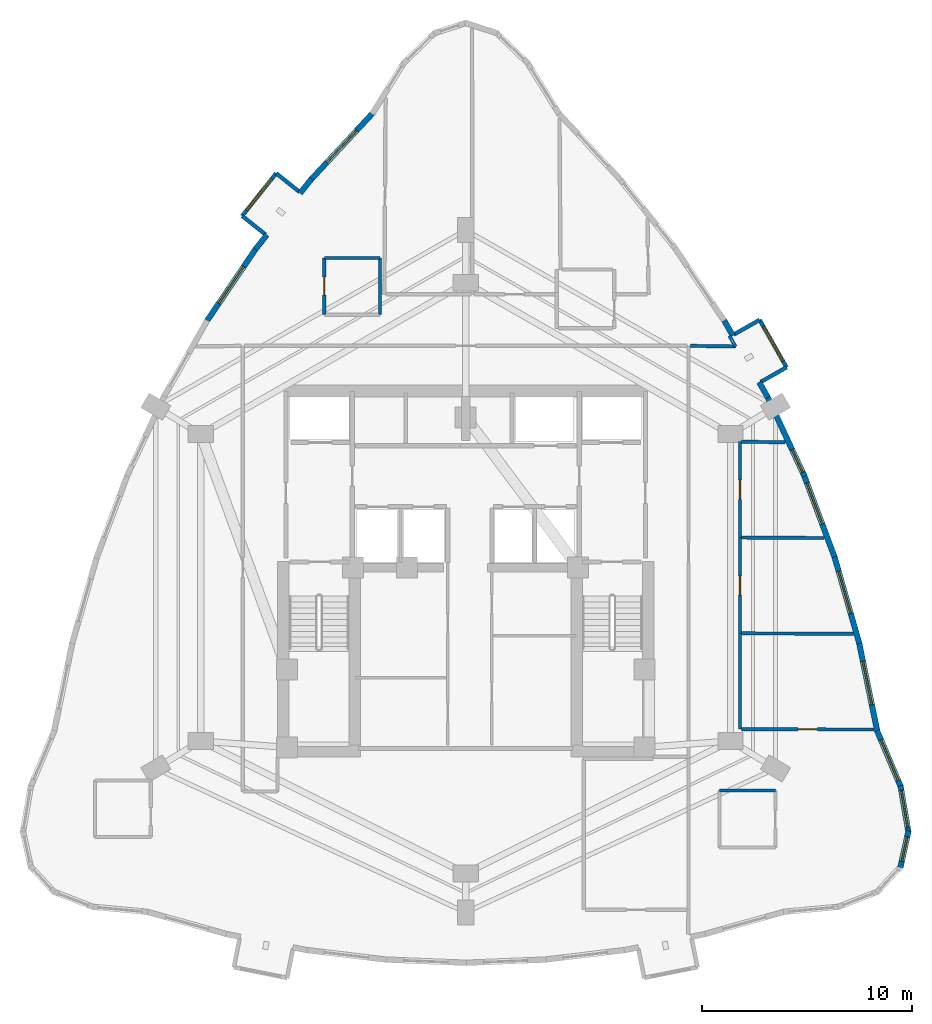
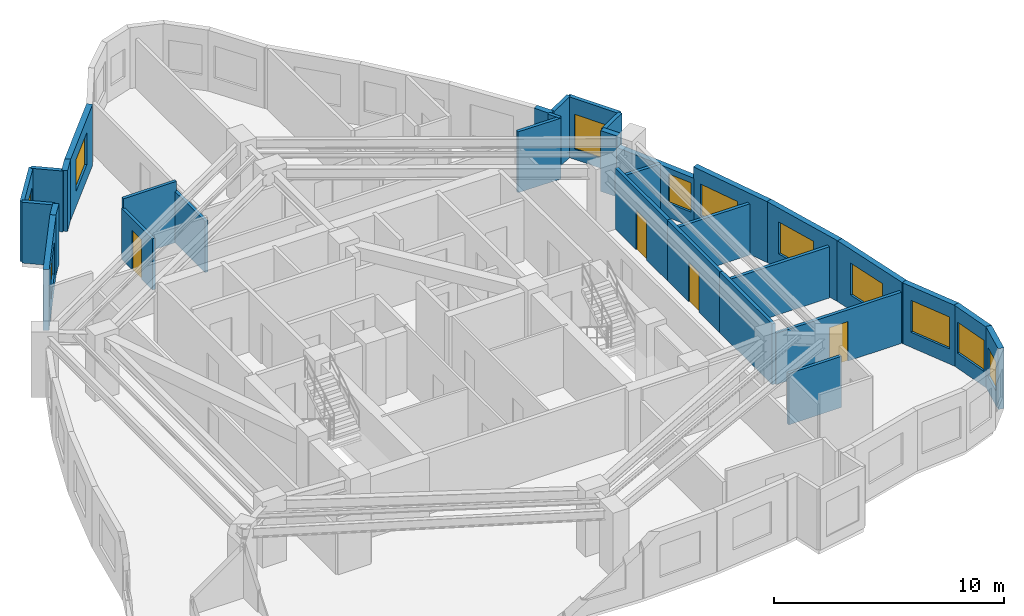
# One storey, part 6 of 8: 32 walls, 11 windows, 4 doors, 15 openings.
"""IFC4 building model written with IfcOpenShell, lengths in metres."""

from ifc_helpers import new_model, si_unit, direction, frame, frame_2d, origin, place, context, subcontext, project, spatial, rectangle, extrude, material, layer, layer_set, type_object, element, fill, save


model = new_model("IFC4")

# Units and contexts
model_context = context("Model", 3, precision=1e-05, world=origin(), true_north=direction((0.0, 1.0)))
body_context = subcontext(model_context, "Body", "Model", "MODEL_VIEW")
ifc_project = project(units=[si_unit("LENGTHUNIT", "METRE"), si_unit("AREAUNIT", "SQUARE_METRE"), si_unit("VOLUMEUNIT", "CUBIC_METRE"), si_unit("PLANEANGLEUNIT", "RADIAN"), si_unit("MASSUNIT", "GRAM", prefix="KILO")], contexts=[model_context])

# Site, building, storey
site_placement = place(None, origin())
site = spatial("IfcSite", under=ifc_project, at=site_placement, CompositionType="ELEMENT")
building_placement = place(site_placement, origin())
building = spatial("IfcBuilding", under=site, at=building_placement, Name="Miruveldt Soraemaru", CompositionType="ELEMENT")
storey_placement = place(building_placement, frame((0.0, 0.0, 177.39990234375)))
storey = spatial("IfcBuildingStorey", under=building, at=storey_placement, Name="L49", CompositionType="ELEMENT", Elevation=177.39990234375)

# Walls
ifc_material_1 = material(Name="White powder-coated aluminium EN AW-6060 T6", Category="aluminium")
ifc_layer_1 = layer(ifc_material_1, 0.18994140625, Name="White powder-coated aluminium EN AW-6060 T6", Category="aluminium")
ifc_layer_set_1 = layer_set([ifc_layer_1], Name="White powder-coated aluminium EN AW-6060 T6")
wall_type_1 = type_object("IfcWallType", Name="WALL-BAY-ALU190", PredefinedType="SOLIDWALL", material=ifc_layer_set_1)
wall_1_placement = place(storey_placement, frame((36.099609375, 61.92041015625, 0.0), z_axis=(0.0, 0.0, 1.0), x_axis=(-0.781737193764, 0.623608017817, 0.0)))
element("IfcWall", 1, at=wall_1_placement, inside=storey, type_object=wall_type_1, Name="L49 Bay Window Side Cheek 4L", PredefinedType="SOLIDWALL", context=body_context, shape_type="SweptSolid", body=[
    extrude(rectangle(XDim=1.425048828125, YDim=0.18994140625, at=frame_2d((0.71240234375, 0.0))), origin(), (0.0, 0.0, 1.0), 3.235107421875),
])
wall_2_placement = place(storey_placement, frame((33.3642578125, 60.776611328125, 0.0), z_axis=(0.0, 0.0, 1.0), x_axis=(0.781653677161, -0.623712697467, 0.0)))
element("IfcWall", 2, at=wall_2_placement, inside=storey, type_object=wall_type_1, Name="L49 Bay Window Side Cheek 4R", PredefinedType="SOLIDWALL", context=body_context, shape_type="SweptSolid", body=[
    extrude(rectangle(XDim=1.42529296875, YDim=0.18994140625, at=frame_2d((0.712646484375, 0.0))), origin(), (0.0, 0.0, 1.0), 3.235107421875),
])

# Wall, opening, window
wall_3_placement = place(storey_placement, frame((34.985595703125, 62.80908203125, 0.0), z_axis=(0.0, 0.0, 1.0), x_axis=(-0.623606546405, -0.781738367538, 0.0)))
wall_3 = element("IfcWall", 3, at=wall_3_placement, inside=storey, type_object=wall_type_1, Name="L49 Bay Window Front Frame 4", PredefinedType="SOLIDWALL", context=body_context, shape_type="SweptSolid", body=[
    extrude(rectangle(XDim=2.599853515625, YDim=0.18994140625, at=frame_2d((1.2998046875, 0.0))), origin(), (0.0, 0.0, 1.0), 3.235107421875),
])
opening_1_placement = place(wall_3_placement, frame((0.35009765625, 0.0, 0.550048828125)))
opening_1 = element("IfcOpeningElement", 4, at=opening_1_placement, cuts=wall_3, Name="Opening WN-6", PredefinedType="OPENING", context=body_context, shape_type="SweptSolid", body=[
    extrude(rectangle(XDim=1.89990234375, YDim=1.85009765625, at=frame_2d((0.949951171875, 0.925048828125))), frame((0.0, 0.10498046875, 0.0), z_axis=(0.0, -1.0, 0.0), x_axis=(1.0, 0.0, 0.0)), (0.0, 0.0, 1.0), 0.2099609375),
])
ifc_material_2 = material(Name="Triple low-e insulated glazing", Category="glass")
window_type_1 = type_object("IfcWindowType", Name="WIN-BAYW-1900x1850", PartitioningType="SINGLE_PANEL", PredefinedType="WINDOW", material=ifc_material_2)
window_1_placement = place(opening_1_placement, origin())
window_1 = element("IfcWindow", 5, at=window_1_placement, inside=storey, type_object=window_type_1, Name="L49 Projecting Bay Window 4", OverallHeight=1.85009765625, OverallWidth=1.89990234375, PartitioningType="SINGLE_PANEL", PredefinedType="WINDOW", context=body_context, shape_type="SweptSolid", body=[
    extrude(rectangle(XDim=1.89990234375, YDim=1.85009765625, at=frame_2d((0.949951171875, 0.925048828125))), frame((0.0, 0.030029296875, 0.0), z_axis=(0.0, -1.0, 0.0), x_axis=(1.0, 0.0, 0.0)), (0.0, 0.0, 1.0), 0.06005859375),
])
fill(opening_1, window_1)

# Walls
for number, where, z_axis, x_axis, name in (
    (6, (58.027099609375, 52.871826171875, 0.0), (0.0, 0.0, 1.0), (0.869799191674, 0.493405883794, 0.0), "L49 Bay Window Side Cheek 3L"),
    (7, (57.98388671875, 55.836669921875, 0.0), (0.0, 0.0, 1.0), (-0.869799191674, -0.493405883794, 0.0), "L49 Bay Window Side Cheek 3R"),
):
    element("IfcWall", number, at=place(storey_placement, frame(where, z_axis=z_axis, x_axis=x_axis)), inside=storey, type_object=wall_type_1, Name=name, PredefinedType="SOLIDWALL", context=body_context, shape_type="SweptSolid", body=[
        extrude(rectangle(XDim=1.425048828125, YDim=0.18994140625, at=frame_2d((0.71240234375, 0.0))), origin(), (0.0, 0.0, 1.0), 3.235107421875),
    ])

# Wall, opening, window
wall_4_placement = place(storey_placement, frame((59.2666015625, 53.574951171875, 0.0), z_axis=(0.0, 0.0, 1.0), x_axis=(-0.493325260824, 0.869844921255, 0.0)))
wall_4 = element("IfcWall", 8, at=wall_4_placement, inside=storey, type_object=wall_type_1, Name="L49 Bay Window Front Frame 3", PredefinedType="SOLIDWALL", context=body_context, shape_type="SweptSolid", body=[
    extrude(rectangle(XDim=2.60009765625, YDim=0.18994140625, at=frame_2d((1.300048828125, 0.0))), origin(), (0.0, 0.0, 1.0), 3.235107421875),
])
opening_2_placement = place(wall_4_placement, frame((0.35009765625, 0.0, 0.550048828125)))
opening_2 = element("IfcOpeningElement", 9, at=opening_2_placement, cuts=wall_4, Name="Opening WN-6", PredefinedType="OPENING", context=body_context, shape_type="SweptSolid", body=[
    extrude(rectangle(XDim=1.89990234375, YDim=1.85009765625, at=frame_2d((0.949951171875, 0.925048828125))), frame((0.0, 0.10498046875, 0.0), z_axis=(0.0, -1.0, 0.0), x_axis=(1.0, 0.0, 0.0)), (0.0, 0.0, 1.0), 0.2099609375),
])
window_2_placement = place(opening_2_placement, origin())
window_2 = element("IfcWindow", 10, at=window_2_placement, inside=storey, type_object=window_type_1, Name="L49 Projecting Bay Window 3", OverallHeight=1.85009765625, OverallWidth=1.89990234375, PartitioningType="SINGLE_PANEL", PredefinedType="WINDOW", context=body_context, shape_type="SweptSolid", body=[
    extrude(rectangle(XDim=1.89990234375, YDim=1.85009765625, at=frame_2d((0.949951171875, 0.925048828125))), frame((0.0, 0.030029296875, 0.0), z_axis=(0.0, -1.0, 0.0), x_axis=(1.0, 0.0, 0.0)), (0.0, 0.0, 1.0), 0.06005859375),
])
fill(opening_2, window_2)

ifc_material_3 = material(Name="Precast concrete C45/55 (45 MPa)", Category="concrete")
ifc_layer_2 = layer(ifc_material_3, 0.27001953125, Name="Precast concrete C45/55 (45 MPa)", Category="concrete")
ifc_layer_set_2 = layer_set([ifc_layer_2], Name="Precast concrete C45/55 (45 MPa)")
wall_type_2 = type_object("IfcWallType", Name="WALL-EXT-PC270", PredefinedType="SOLIDWALL", material=ifc_layer_set_2)
wall_5_placement = place(storey_placement, frame((39.59326171875, 65.68701171875, 0.0), z_axis=(0.0, 0.0, 1.0), x_axis=(-0.680895300914, -0.732380767902, 0.0)))
wall_5 = element("IfcWall", 11, at=wall_5_placement, inside=storey, type_object=wall_type_2, Name="L49 Precast Concrete Facade Wall 7", PredefinedType="SOLIDWALL", context=body_context, shape_type="SweptSolid", body=[
    extrude(rectangle(XDim=4.362548828125, YDim=0.27001953125, at=frame_2d((2.18115234375, 0.0))), origin(), (0.0, 0.0, 1.0), 3.235107421875),
])
opening_3_placement = place(wall_5_placement, frame((1.131103515625, 0.0, 0.800048828125)))
opening_3 = element("IfcOpeningElement", 12, at=opening_3_placement, cuts=wall_5, Name="Opening WN-1", PredefinedType="OPENING", context=body_context, shape_type="SweptSolid", body=[
    extrude(rectangle(XDim=2.10009765625, YDim=1.699951171875, at=frame_2d((1.050048828125, 0.85009765625))), frame((0.0, 0.14501953125, 0.0), z_axis=(0.0, -1.0, 0.0), x_axis=(1.0, 0.0, 0.0)), (0.0, 0.0, 1.0), 0.2900390625),
])
window_type_2 = type_object("IfcWindowType", Name="WIN-PUNCH-2100x1700", PartitioningType="SINGLE_PANEL", PredefinedType="WINDOW", material=ifc_material_2)
window_3_placement = place(opening_3_placement, origin())
window_3 = element("IfcWindow", 13, at=window_3_placement, inside=storey, type_object=window_type_2, Name="L49 Punched Triple-Glazed Window 07.1", OverallHeight=1.699951171875, OverallWidth=2.10009765625, PartitioningType="SINGLE_PANEL", PredefinedType="WINDOW", context=body_context, shape_type="SweptSolid", body=[
    extrude(rectangle(XDim=2.10009765625, YDim=1.699951171875, at=frame_2d((1.050048828125, 0.85009765625))), frame((0.0, 0.030029296875, 0.0), z_axis=(0.0, -1.0, 0.0), x_axis=(1.0, 0.0, 0.0)), (0.0, 0.0, 1.0), 0.06005859375),
])
fill(opening_3, window_3)

# Walls
wall_6_placement = place(storey_placement, frame((36.668212890625, 62.544921875, 0.0), z_axis=(0.0, 0.0, 1.0), x_axis=(-0.623500381901, -0.781823045049, 0.0)))
element("IfcWall", 14, at=wall_6_placement, inside=storey, type_object=wall_type_2, Name="L49 Precast Pier Wall 8A", PredefinedType="SOLIDWALL", context=body_context, shape_type="SweptSolid", body=[
    extrude(rectangle(XDim=0.872802734375, YDim=0.27001953125, at=frame_2d((0.4365234375, 0.0))), origin(), (0.0, 0.0, 1.0), 3.235107421875),
])
wall_7_placement = place(storey_placement, frame((34.5400390625, 59.876953125, 0.0), z_axis=(0.0, 0.0, 1.0), x_axis=(-0.623671316499, -0.781686694895, 0.0)))
element("IfcWall", 15, at=wall_7_placement, inside=storey, type_object=wall_type_2, Name="L49 Precast Pier Wall 8B", PredefinedType="SOLIDWALL", context=body_context, shape_type="SweptSolid", body=[
    extrude(rectangle(XDim=0.873046875, YDim=0.27001953125, at=frame_2d((0.4365234375, 0.0))), origin(), (0.0, 0.0, 1.0), 3.235107421875),
])

# Wall, opening, window
wall_8_placement = place(storey_placement, frame((34.037109375, 59.2509765625, 0.0), z_axis=(0.0, 0.0, 1.0), x_axis=(-0.560820092429, -0.827937693265, 0.0)))
wall_8 = element("IfcWall", 16, at=wall_8_placement, inside=storey, type_object=wall_type_2, Name="L49 Precast Concrete Facade Wall 9", PredefinedType="SOLIDWALL", context=body_context, shape_type="SweptSolid", body=[
    extrude(rectangle(XDim=4.233642578125, YDim=0.27001953125, at=frame_2d((2.11669921875, 0.0))), origin(), (0.0, 0.0, 1.0), 3.235107421875),
])
opening_4_placement = place(wall_8_placement, frame((1.06689453125, 0.0, 0.800048828125)))
opening_4 = element("IfcOpeningElement", 17, at=opening_4_placement, cuts=wall_8, Name="Opening WN-1", PredefinedType="OPENING", context=body_context, shape_type="SweptSolid", body=[
    extrude(rectangle(XDim=2.10009765625, YDim=1.699951171875, at=frame_2d((1.050048828125, 0.85009765625))), frame((0.0, 0.14501953125, 0.0), z_axis=(0.0, -1.0, 0.0), x_axis=(1.0, 0.0, 0.0)), (0.0, 0.0, 1.0), 0.2900390625),
])
window_4_placement = place(opening_4_placement, origin())
window_4 = element("IfcWindow", 18, at=window_4_placement, inside=storey, type_object=window_type_2, Name="L49 Punched Triple-Glazed Window 09.1", OverallHeight=1.699951171875, OverallWidth=2.10009765625, PartitioningType="SINGLE_PANEL", PredefinedType="WINDOW", context=body_context, shape_type="SweptSolid", body=[
    extrude(rectangle(XDim=2.10009765625, YDim=1.699951171875, at=frame_2d((1.050048828125, 0.85009765625))), frame((0.0, 0.030029296875, 0.0), z_axis=(0.0, -1.0, 0.0), x_axis=(1.0, 0.0, 0.0)), (0.0, 0.0, 1.0), 0.06005859375),
])
fill(opening_4, window_4)

wall_9_placement = place(storey_placement, frame((64.683349609375, 29.786376953125, 0.0), z_axis=(0.0, 0.0, 1.0), x_axis=(0.215842043801, 0.976428293387, 0.0)))
wall_9 = element("IfcWall", 19, at=wall_9_placement, inside=storey, type_object=wall_type_2, Name="L49 Precast Concrete Facade Wall 32", PredefinedType="SOLIDWALL", context=body_context, shape_type="SweptSolid", body=[
    extrude(rectangle(XDim=1.781494140625, YDim=0.27001953125, at=frame_2d((0.890625, 0.0))), origin(), (0.0, 0.0, 1.0), 3.235107421875),
])
opening_5_placement = place(wall_9_placement, frame((0.291015625, 0.0, 0.780029296875)))
opening_5 = element("IfcOpeningElement", 20, at=opening_5_placement, cuts=wall_9, Name="Opening WN-4", PredefinedType="OPENING", context=body_context, shape_type="SweptSolid", body=[
    extrude(rectangle(XDim=1.199951171875, YDim=1.550048828125, at=frame_2d((0.60009765625, 0.77490234375))), frame((0.0, 0.14501953125, 0.0), z_axis=(0.0, -1.0, 0.0), x_axis=(1.0, 0.0, 0.0)), (0.0, 0.0, 1.0), 0.2900390625),
])
window_type_3 = type_object("IfcWindowType", Name="WIN-PUNCH-1200x1550", PartitioningType="SINGLE_PANEL", PredefinedType="WINDOW", material=ifc_material_2)
window_5_placement = place(opening_5_placement, origin())
window_5 = element("IfcWindow", 21, at=window_5_placement, inside=storey, type_object=window_type_3, Name="L49 Punched Triple-Glazed Window 32.1", OverallHeight=1.550048828125, OverallWidth=1.199951171875, PartitioningType="SINGLE_PANEL", PredefinedType="WINDOW", context=body_context, shape_type="SweptSolid", body=[
    extrude(rectangle(XDim=1.199951171875, YDim=1.550048828125, at=frame_2d((0.60009765625, 0.77490234375))), frame((0.0, 0.030029296875, 0.0), z_axis=(0.0, -1.0, 0.0), x_axis=(1.0, 0.0, 0.0)), (0.0, 0.0, 1.0), 0.06005859375),
])
fill(opening_5, window_5)

wall_10_placement = place(storey_placement, frame((65.066162109375, 31.457275390625, 0.0), z_axis=(0.0, 0.0, 1.0), x_axis=(-0.169358284126, 0.98555455029, 0.0)))
wall_10 = element("IfcWall", 22, at=wall_10_placement, inside=storey, type_object=wall_type_2, Name="L49 Precast Concrete Facade Wall 33", PredefinedType="SOLIDWALL", context=body_context, shape_type="SweptSolid", body=[
    extrude(rectangle(XDim=2.250244140625, YDim=0.27001953125, at=frame_2d((1.125, 0.0))), origin(), (0.0, 0.0, 1.0), 3.235107421875),
])
opening_6_placement = place(wall_10_placement, frame((0.22509765625, 0.0, 0.800048828125)))
opening_6 = element("IfcOpeningElement", 23, at=opening_6_placement, cuts=wall_10, Name="Opening WN-2", PredefinedType="OPENING", context=body_context, shape_type="SweptSolid", body=[
    extrude(rectangle(XDim=1.800048828125, YDim=1.64990234375, at=frame_2d((0.89990234375, 0.824951171875))), frame((0.0, 0.14501953125, 0.0), z_axis=(0.0, -1.0, 0.0), x_axis=(1.0, 0.0, 0.0)), (0.0, 0.0, 1.0), 0.2900390625),
])
window_type_4 = type_object("IfcWindowType", Name="WIN-PUNCH-1800x1650", PartitioningType="SINGLE_PANEL", PredefinedType="WINDOW", material=ifc_material_2)
window_6_placement = place(opening_6_placement, origin())
window_6 = element("IfcWindow", 24, at=window_6_placement, inside=storey, type_object=window_type_4, Name="L49 Punched Triple-Glazed Window 33.1", OverallHeight=1.64990234375, OverallWidth=1.800048828125, PartitioningType="SINGLE_PANEL", PredefinedType="WINDOW", context=body_context, shape_type="SweptSolid", body=[
    extrude(rectangle(XDim=1.800048828125, YDim=1.64990234375, at=frame_2d((0.89990234375, 0.824951171875))), frame((0.0, 0.030029296875, 0.0), z_axis=(0.0, -1.0, 0.0), x_axis=(1.0, 0.0, 0.0)), (0.0, 0.0, 1.0), 0.06005859375),
])
fill(opening_6, window_6)

wall_11_placement = place(storey_placement, frame((64.70458984375, 33.6083984375, 0.0), z_axis=(0.0, 0.0, 1.0), x_axis=(-0.388625089354, 0.921395973469, 0.0)))
wall_11 = element("IfcWall", 25, at=wall_11_placement, inside=storey, type_object=wall_type_2, Name="L49 Precast Concrete Facade Wall 34", PredefinedType="SOLIDWALL", context=body_context, shape_type="SweptSolid", body=[
    extrude(rectangle(XDim=2.919921875, YDim=0.27001953125, at=frame_2d((1.4599609375, 0.0))), origin(), (0.0, 0.0, 1.0), 3.235107421875),
])
opening_7_placement = place(wall_11_placement, frame((0.343017578125, 0.0, 0.800048828125)))
opening_7 = element("IfcOpeningElement", 26, at=opening_7_placement, cuts=wall_11, Name="Opening WN-1", PredefinedType="OPENING", context=body_context, shape_type="SweptSolid", body=[
    extrude(rectangle(XDim=2.10009765625, YDim=1.699951171875, at=frame_2d((1.050048828125, 0.85009765625))), frame((0.0, 0.14501953125, 0.0), z_axis=(0.0, -1.0, 0.0), x_axis=(1.0, 0.0, 0.0)), (0.0, 0.0, 1.0), 0.2900390625),
])
window_7_placement = place(opening_7_placement, origin())
window_7 = element("IfcWindow", 27, at=window_7_placement, inside=storey, type_object=window_type_2, Name="L49 Punched Triple-Glazed Window 34.1", OverallHeight=1.699951171875, OverallWidth=2.10009765625, PartitioningType="SINGLE_PANEL", PredefinedType="WINDOW", context=body_context, shape_type="SweptSolid", body=[
    extrude(rectangle(XDim=2.10009765625, YDim=1.699951171875, at=frame_2d((1.050048828125, 0.85009765625))), frame((0.0, 0.030029296875, 0.0), z_axis=(0.0, -1.0, 0.0), x_axis=(1.0, 0.0, 0.0)), (0.0, 0.0, 1.0), 0.06005859375),
])
fill(opening_7, window_7)

wall_12_placement = place(storey_placement, frame((63.590576171875, 36.232421875, 0.0), z_axis=(0.0, 0.0, 1.0), x_axis=(-0.201622920586, 0.979463219266, 0.0)))
wall_12 = element("IfcWall", 28, at=wall_12_placement, inside=storey, type_object=wall_type_2, Name="L49 Precast Concrete Facade Wall 35", PredefinedType="SOLIDWALL", context=body_context, shape_type="SweptSolid", body=[
    extrude(rectangle(XDim=4.36279296875, YDim=0.27001953125, at=frame_2d((2.181396484375, 0.0))), origin(), (0.0, 0.0, 1.0), 3.235107421875),
])
opening_8_placement = place(wall_12_placement, frame((1.324951171875, 0.0, 0.800048828125)))
opening_8 = element("IfcOpeningElement", 29, at=opening_8_placement, cuts=wall_12, Name="Opening WN-1", PredefinedType="OPENING", context=body_context, shape_type="SweptSolid", body=[
    extrude(rectangle(XDim=2.10009765625, YDim=1.699951171875, at=frame_2d((1.050048828125, 0.85009765625))), frame((0.0, 0.14501953125, 0.0), z_axis=(0.0, -1.0, 0.0), x_axis=(1.0, 0.0, 0.0)), (0.0, 0.0, 1.0), 0.2900390625),
])
window_8_placement = place(opening_8_placement, origin())
window_8 = element("IfcWindow", 30, at=window_8_placement, inside=storey, type_object=window_type_2, Name="L49 Punched Triple-Glazed Window 35.1", OverallHeight=1.699951171875, OverallWidth=2.10009765625, PartitioningType="SINGLE_PANEL", PredefinedType="WINDOW", context=body_context, shape_type="SweptSolid", body=[
    extrude(rectangle(XDim=2.10009765625, YDim=1.699951171875, at=frame_2d((1.050048828125, 0.85009765625))), frame((0.0, 0.030029296875, 0.0), z_axis=(0.0, -1.0, 0.0), x_axis=(1.0, 0.0, 0.0)), (0.0, 0.0, 1.0), 0.06005859375),
])
fill(opening_8, window_8)

wall_13_placement = place(storey_placement, frame((62.727783203125, 40.437744140625, 0.0), z_axis=(0.0, 0.0, 1.0), x_axis=(-0.274984460163, 0.961448670845, 0.0)))
wall_13 = element("IfcWall", 31, at=wall_13_placement, inside=storey, type_object=wall_type_2, Name="L49 Precast Concrete Facade Wall 36", PredefinedType="SOLIDWALL", context=body_context, shape_type="SweptSolid", body=[
    extrude(rectangle(XDim=4.28564453125, YDim=0.27001953125, at=frame_2d((2.142822265625, 0.0))), origin(), (0.0, 0.0, 1.0), 3.235107421875),
])
opening_9_placement = place(wall_13_placement, frame((1.47607421875, 0.0, 0.800048828125)))
opening_9 = element("IfcOpeningElement", 32, at=opening_9_placement, cuts=wall_13, Name="Opening WN-1", PredefinedType="OPENING", context=body_context, shape_type="SweptSolid", body=[
    extrude(rectangle(XDim=2.10009765625, YDim=1.699951171875, at=frame_2d((1.050048828125, 0.85009765625))), frame((0.0, 0.14501953125, 0.0), z_axis=(0.0, -1.0, 0.0), x_axis=(1.0, 0.0, 0.0)), (0.0, 0.0, 1.0), 0.2900390625),
])
window_9_placement = place(opening_9_placement, origin())
window_9 = element("IfcWindow", 33, at=window_9_placement, inside=storey, type_object=window_type_2, Name="L49 Punched Triple-Glazed Window 36.1", OverallHeight=1.699951171875, OverallWidth=2.10009765625, PartitioningType="SINGLE_PANEL", PredefinedType="WINDOW", context=body_context, shape_type="SweptSolid", body=[
    extrude(rectangle(XDim=2.10009765625, YDim=1.699951171875, at=frame_2d((1.050048828125, 0.85009765625))), frame((0.0, 0.030029296875, 0.0), z_axis=(0.0, -1.0, 0.0), x_axis=(1.0, 0.0, 0.0)), (0.0, 0.0, 1.0), 0.06005859375),
])
fill(opening_9, window_9)

wall_14_placement = place(storey_placement, frame((61.571044921875, 44.49169921875, 0.0), z_axis=(0.0, 0.0, 1.0), x_axis=(-0.349011712454, 0.937118362092, 0.0)))
wall_14 = element("IfcWall", 34, at=wall_14_placement, inside=storey, type_object=wall_type_2, Name="L49 Precast Concrete Facade Wall 37", PredefinedType="SOLIDWALL", context=body_context, shape_type="SweptSolid", body=[
    extrude(rectangle(XDim=4.2333984375, YDim=0.27001953125, at=frame_2d((2.11669921875, 0.0))), origin(), (0.0, 0.0, 1.0), 3.235107421875),
])
opening_10_placement = place(wall_14_placement, frame((1.72998046875, 0.0, 0.800048828125)))
opening_10 = element("IfcOpeningElement", 35, at=opening_10_placement, cuts=wall_14, Name="Opening WN-1", PredefinedType="OPENING", context=body_context, shape_type="SweptSolid", body=[
    extrude(rectangle(XDim=2.10009765625, YDim=1.699951171875, at=frame_2d((1.050048828125, 0.85009765625))), frame((0.0, 0.14501953125, 0.0), z_axis=(0.0, -1.0, 0.0), x_axis=(1.0, 0.0, 0.0)), (0.0, 0.0, 1.0), 0.2900390625),
])
window_10_placement = place(opening_10_placement, origin())
window_10 = element("IfcWindow", 36, at=window_10_placement, inside=storey, type_object=window_type_2, Name="L49 Punched Triple-Glazed Window 37.1", OverallHeight=1.699951171875, OverallWidth=2.10009765625, PartitioningType="SINGLE_PANEL", PredefinedType="WINDOW", context=body_context, shape_type="SweptSolid", body=[
    extrude(rectangle(XDim=2.10009765625, YDim=1.699951171875, at=frame_2d((1.050048828125, 0.85009765625))), frame((0.0, 0.030029296875, 0.0), z_axis=(0.0, -1.0, 0.0), x_axis=(1.0, 0.0, 0.0)), (0.0, 0.0, 1.0), 0.06005859375),
])
fill(opening_10, window_10)

wall_15_placement = place(storey_placement, frame((60.12060546875, 48.39453125, 0.0), z_axis=(0.0, 0.0, 1.0), x_axis=(-0.422345326192, 0.906435008947, 0.0)))
wall_15 = element("IfcWall", 37, at=wall_15_placement, inside=storey, type_object=wall_type_2, Name="L49 Precast Concrete Facade Wall 38", PredefinedType="SOLIDWALL", context=body_context, shape_type="SweptSolid", body=[
    extrude(rectangle(XDim=4.20703125, YDim=0.27001953125, at=frame_2d((2.103515625, 0.0))), origin(), (0.0, 0.0, 1.0), 2.635009765625),
])
opening_11_placement = place(wall_15_placement, frame((0.2060546875, 0.0, 0.780029296875)))
opening_11 = element("IfcOpeningElement", 38, at=opening_11_placement, cuts=wall_15, Name="Opening WN-4", PredefinedType="OPENING", context=body_context, shape_type="SweptSolid", body=[
    extrude(rectangle(XDim=1.199951171875, YDim=1.550048828125, at=frame_2d((0.60009765625, 0.77490234375))), frame((0.0, 0.14501953125, 0.0), z_axis=(0.0, -1.0, 0.0), x_axis=(1.0, 0.0, 0.0)), (0.0, 0.0, 1.0), 0.2900390625),
])
window_11_placement = place(opening_11_placement, origin())
window_11 = element("IfcWindow", 39, at=window_11_placement, inside=storey, type_object=window_type_3, Name="L49 Punched Triple-Glazed Window 38.1", OverallHeight=1.550048828125, OverallWidth=1.199951171875, PartitioningType="SINGLE_PANEL", PredefinedType="WINDOW", context=body_context, shape_type="SweptSolid", body=[
    extrude(rectangle(XDim=1.199951171875, YDim=1.550048828125, at=frame_2d((0.60009765625, 0.77490234375))), frame((0.0, 0.030029296875, 0.0), z_axis=(0.0, -1.0, 0.0), x_axis=(1.0, 0.0, 0.0)), (0.0, 0.0, 1.0), 0.06005859375),
])
fill(opening_11, window_11)

# Walls
for number, where, z_axis, x_axis, name in (
    (40, (58.3759765625, 52.14599609375, 0.0), (0.0, 0.0, 1.0), (-0.49358156725, 0.869699509297, 0.0), "L49 Precast Pier Wall 39A"),
    (41, (56.71142578125, 55.080322265625, 0.0), (0.0, 0.0, 1.0), (-0.493234259092, 0.869896525834, 0.0), "L49 Precast Pier Wall 39B"),
):
    element("IfcWall", number, at=place(storey_placement, frame(where, z_axis=z_axis, x_axis=x_axis)), inside=storey, type_object=wall_type_2, Name=name, PredefinedType="SOLIDWALL", context=body_context, shape_type="SweptSolid", body=[
        extrude(rectangle(XDim=0.83349609375, YDim=0.27001953125, at=frame_2d((0.416748046875, 0.0))), origin(), (0.0, 0.0, 1.0), 3.235107421875),
    ])

# Wall, opening, door
ifc_material_4 = material(Name="Gypsum plasterboard lining", Category="gypsum")
ifc_layer_3 = layer(ifc_material_4, 0.14990234375, Name="Gypsum plasterboard lining", Category="gypsum")
ifc_layer_set_3 = layer_set([ifc_layer_3], Name="Gypsum plasterboard lining")
wall_type_3 = type_object("IfcWallType", Name="WALL-INT-PLUMB", PredefinedType="PLUMBINGWALL", material=ifc_layer_set_3)
wall_16_placement = place(storey_placement, frame((37.27490234375, 58.780029296875, 0.0), z_axis=(0.0, 0.0, 1.0), x_axis=(0.0, -1.0, 0.0)))
wall_16 = element("IfcWall", 42, at=wall_16_placement, inside=storey, type_object=wall_type_3, Name="L49 Partition Wall 8", PredefinedType="PLUMBINGWALL", context=body_context, shape_type="SweptSolid", body=[
    extrude(rectangle(XDim=2.699951171875, YDim=0.14990234375, at=frame_2d((1.35009765625, 0.0))), origin(), (0.0, 0.0, 1.0), 2.72314453125),
])
opening_12_placement = place(wall_16_placement, frame((0.909912109375, 0.0, 0.0)))
opening_12 = element("IfcOpeningElement", 43, at=opening_12_placement, cuts=wall_16, Name="Opening FD3", PredefinedType="OPENING", context=body_context, shape_type="SweptSolid", body=[
    extrude(rectangle(XDim=0.85009765625, YDim=2.10009765625, at=frame_2d((0.425048828125, 1.050048828125))), frame((0.0, 0.0849609375, 0.0), z_axis=(0.0, -1.0, 0.0), x_axis=(1.0, 0.0, 0.0)), (0.0, 0.0, 1.0), 0.169921875),
])
ifc_material_5 = material(Name="Anodised aluminium EN AW-6063 T6", Category="aluminium")
door_type_1 = type_object("IfcDoorType", Name="DOOR-FD3-850", OperationType="NOTDEFINED", PredefinedType="DOOR", material=ifc_material_5)
door_1_placement = place(opening_12_placement, origin())
door_1 = element("IfcDoor", 44, at=door_1_placement, inside=storey, type_object=door_type_1, Name="L49 Unit 4901 BTH Door", OperationType="SINGLE_SWING_LEFT", OverallHeight=2.10009765625, OverallWidth=0.85009765625, PredefinedType="DOOR", context=body_context, shape_type="SweptSolid", body=[
    extrude(rectangle(XDim=0.85009765625, YDim=2.10009765625, at=frame_2d((0.425048828125, 1.050048828125))), frame((0.0, 0.02490234375, 0.0), z_axis=(0.0, -1.0, 0.0), x_axis=(1.0, 0.0, 0.0)), (0.0, 0.0, 1.0), 0.050048828125),
])
fill(opening_12, door_1)

# Walls
wall_17_placement = place(storey_placement, frame((39.925048828125, 56.080078125, 0.0), z_axis=(0.0, 0.0, 1.0), x_axis=(0.0, 1.0, 0.0)))
element("IfcWall", 45, at=wall_17_placement, inside=storey, type_object=wall_type_3, Name="L49 Partition Wall 6", PredefinedType="PLUMBINGWALL", context=body_context, shape_type="SweptSolid", body=[
    extrude(rectangle(XDim=2.699951171875, YDim=0.14990234375, at=frame_2d((1.35009765625, 0.0))), origin(), (0.0, 0.0, 1.0), 2.72314453125),
])
wall_18_placement = place(storey_placement, frame((39.925048828125, 58.780029296875, 0.0), z_axis=(0.0, 0.0, 1.0), x_axis=(-1.0, 0.0, 0.0)))
element("IfcWall", 46, at=wall_18_placement, inside=storey, type_object=wall_type_3, Name="L49 Partition Wall 7", PredefinedType="PLUMBINGWALL", context=body_context, shape_type="SweptSolid", body=[
    extrude(rectangle(XDim=2.650146484375, YDim=0.14990234375, at=frame_2d((1.3251953125, 0.0))), origin(), (0.0, 0.0, 1.0), 3.235107421875),
])
wall_19_placement = place(storey_placement, frame((58.72998046875, 33.43896484375, 0.0), z_axis=(0.0, 0.0, 1.0), x_axis=(-1.0, 0.0, 0.0)))
element("IfcWall", 47, at=wall_19_placement, inside=storey, type_object=wall_type_3, Name="L49 Partition Wall 32", PredefinedType="PLUMBINGWALL", context=body_context, shape_type="SweptSolid", body=[
    extrude(rectangle(XDim=2.64990234375, YDim=0.14990234375, at=frame_2d((1.324951171875, 0.0))), origin(), (0.0, 0.0, 1.0), 2.72314453125),
])

# Wall, opening, door
ifc_material_6 = material(Name="Concrete C40/50 (40 MPa)", Category="concrete")
ifc_layer_4 = layer(ifc_material_6, 0.159912109375, Name="Concrete C40/50 (40 MPa)", Category="concrete")
ifc_layer_set_4 = layer_set([ifc_layer_4], Name="Concrete C40/50 (40 MPa)")
wall_type_4 = type_object("IfcWallType", Name="WALL-INT-RC160", PredefinedType="SOLIDWALL", material=ifc_layer_set_4)
wall_20_placement = place(storey_placement, frame((63.4140625, 36.346923828125, 0.0), z_axis=(0.0, 0.0, 1.0), x_axis=(-0.999997461324, 0.002253296533, 0.0)))
wall_20 = element("IfcWall", 48, at=wall_20_placement, inside=storey, type_object=wall_type_4, Name="L49 Partition Wall 35", PredefinedType="SOLIDWALL", context=body_context, shape_type="SweptSolid", body=[
    extrude(rectangle(XDim=6.2841796875, YDim=0.159912109375, at=frame_2d((3.14208984375, 0.0))), origin(), (0.0, 0.0, 1.0), 2.72314453125),
])
opening_13_placement = place(wall_20_placement, frame((2.681884765625, 0.0, 0.0)))
opening_13 = element("IfcOpeningElement", 49, at=opening_13_placement, cuts=wall_20, Name="Opening D3A", PredefinedType="OPENING", context=body_context, shape_type="SweptSolid", body=[
    extrude(rectangle(XDim=0.919921875, YDim=2.10009765625, at=frame_2d((0.4599609375, 1.050048828125))), frame((0.0, 0.08984375, 0.0), z_axis=(0.0, -1.0, 0.0), x_axis=(1.0, 0.0, 0.0)), (0.0, 0.0, 1.0), 0.179931640625),
])
door_type_2 = type_object("IfcDoorType", Name="DOOR-INT-920", OperationType="NOTDEFINED", PredefinedType="DOOR", material=ifc_material_5)
door_2_placement = place(opening_13_placement, origin())
door_2 = element("IfcDoor", 50, at=door_2_placement, inside=storey, type_object=door_type_2, Name="L49 Unit 4903 BD1 Door", OperationType="SINGLE_SWING_LEFT", OverallHeight=2.10009765625, OverallWidth=0.919921875, PredefinedType="DOOR", context=body_context, shape_type="SweptSolid", body=[
    extrude(rectangle(XDim=0.919921875, YDim=2.10009765625, at=frame_2d((0.4599609375, 1.050048828125))), frame((0.0, 0.02490234375, 0.0), z_axis=(0.0, -1.0, 0.0), x_axis=(1.0, 0.0, 0.0)), (0.0, 0.0, 1.0), 0.050048828125),
])
fill(opening_13, door_2)

wall_21_placement = place(storey_placement, frame((57.050048828125, 45.47998046875, 0.0), z_axis=(0.0, 0.0, 1.0), x_axis=(0.0, 1.0, 0.0)))
wall_21 = element("IfcWall", 51, at=wall_21_placement, inside=storey, type_object=wall_type_4, Name="L49 Partition Wall 38", PredefinedType="SOLIDWALL", context=body_context, shape_type="SweptSolid", body=[
    extrude(rectangle(XDim=4.56005859375, YDim=0.159912109375, at=frame_2d((2.280029296875, 0.0))), origin(), (0.0, 0.0, 1.0), 3.235107421875),
])
opening_14_placement = place(wall_21_placement, frame((1.820068359375, 0.0, 0.0)))
opening_14 = element("IfcOpeningElement", 52, at=opening_14_placement, cuts=wall_21, Name="Opening D3A", PredefinedType="OPENING", context=body_context, shape_type="SweptSolid", body=[
    extrude(rectangle(XDim=0.919921875, YDim=2.10009765625, at=frame_2d((0.4599609375, 1.050048828125))), frame((0.0, 0.08984375, 0.0), z_axis=(0.0, -1.0, 0.0), x_axis=(1.0, 0.0, 0.0)), (0.0, 0.0, 1.0), 0.179931640625),
])
door_3_placement = place(opening_14_placement, origin())
door_3 = element("IfcDoor", 53, at=door_3_placement, inside=storey, type_object=door_type_2, Name="L49 Unit 4903 BD3 Door", OperationType="SINGLE_SWING_LEFT", OverallHeight=2.10009765625, OverallWidth=0.919921875, PredefinedType="DOOR", context=body_context, shape_type="SweptSolid", body=[
    extrude(rectangle(XDim=0.919921875, YDim=2.10009765625, at=frame_2d((0.4599609375, 1.050048828125))), frame((0.0, 0.02490234375, 0.0), z_axis=(0.0, -1.0, 0.0), x_axis=(1.0, 0.0, 0.0)), (0.0, 0.0, 1.0), 0.050048828125),
])
fill(opening_14, door_3)

wall_22_placement = place(storey_placement, frame((57.050048828125, 40.9208984375, 0.0), z_axis=(0.0, 0.0, 1.0), x_axis=(0.0, 1.0, 0.0)))
wall_22 = element("IfcWall", 54, at=wall_22_placement, inside=storey, type_object=wall_type_4, Name="L49 Partition Wall 37", PredefinedType="SOLIDWALL", context=body_context, shape_type="SweptSolid", body=[
    extrude(rectangle(XDim=4.55908203125, YDim=0.159912109375, at=frame_2d((2.279541015625, 0.0))), origin(), (0.0, 0.0, 1.0), 3.235107421875),
])
opening_15_placement = place(wall_22_placement, frame((1.819091796875, 0.0, 0.0)))
opening_15 = element("IfcOpeningElement", 55, at=opening_15_placement, cuts=wall_22, Name="Opening D3A", PredefinedType="OPENING", context=body_context, shape_type="SweptSolid", body=[
    extrude(rectangle(XDim=0.919921875, YDim=2.10009765625, at=frame_2d((0.4599609375, 1.050048828125))), frame((0.0, 0.08984375, 0.0), z_axis=(0.0, -1.0, 0.0), x_axis=(1.0, 0.0, 0.0)), (0.0, 0.0, 1.0), 0.179931640625),
])
door_4_placement = place(opening_15_placement, origin())
door_4 = element("IfcDoor", 56, at=door_4_placement, inside=storey, type_object=door_type_2, Name="L49 Unit 4903 BD2 Door", OperationType="SINGLE_SWING_RIGHT", OverallHeight=2.10009765625, OverallWidth=0.919921875, PredefinedType="DOOR", context=body_context, shape_type="SweptSolid", body=[
    extrude(rectangle(XDim=0.919921875, YDim=2.10009765625, at=frame_2d((0.4599609375, 1.050048828125))), frame((0.0, 0.02490234375, 0.0), z_axis=(0.0, -1.0, 0.0), x_axis=(1.0, 0.0, 0.0)), (0.0, 0.0, 1.0), 0.050048828125),
])
fill(opening_15, door_4)

# Walls
wall_23_placement = place(storey_placement, frame((62.43896484375, 40.902099609375, 0.0), z_axis=(0.0, 0.0, 1.0), x_axis=(-0.99999373114, 0.003540858884, 0.0)))
element("IfcWall", 57, at=wall_23_placement, inside=storey, type_object=wall_type_4, Name="L49 Partition Wall 40", PredefinedType="SOLIDWALL", context=body_context, shape_type="SweptSolid", body=[
    extrude(rectangle(XDim=5.30908203125, YDim=0.159912109375, at=frame_2d((2.654541015625, 0.0))), origin(), (0.0, 0.0, 1.0), 2.72314453125),
])
wall_24_placement = place(storey_placement, frame((57.050048828125, 36.361083984375, 0.0), z_axis=(0.0, 0.0, 1.0), x_axis=(0.0, 1.0, 0.0)))
element("IfcWall", 58, at=wall_24_placement, inside=storey, type_object=wall_type_4, Name="L49 Partition Wall 36", PredefinedType="SOLIDWALL", context=body_context, shape_type="SweptSolid", body=[
    extrude(rectangle(XDim=4.559814453125, YDim=0.159912109375, at=frame_2d((2.27978515625, 0.0))), origin(), (0.0, 0.0, 1.0), 3.235107421875),
])
wall_25_placement = place(storey_placement, frame((61.052001953125, 45.4560546875, 0.0), z_axis=(0.0, 0.0, 1.0), x_axis=(-0.99998139419, 0.006100104365, 0.0)))
element("IfcWall", 59, at=wall_25_placement, inside=storey, type_object=wall_type_4, Name="L49 Partition Wall 41", PredefinedType="SOLIDWALL", context=body_context, shape_type="SweptSolid", body=[
    extrude(rectangle(XDim=3.922119140625, YDim=0.159912109375, at=frame_2d((1.9609375, 0.0))), origin(), (0.0, 0.0, 1.0), 2.72314453125),
])
wall_26_placement = place(storey_placement, frame((54.68310546875, 54.59912109375, 0.0), z_axis=(0.0, 0.0, 1.0), x_axis=(0.999887365467, -0.01500854358, 0.0)))
element("IfcWall", 60, at=wall_26_placement, inside=storey, type_object=wall_type_4, Name="L49 Partition Wall 19", PredefinedType="SOLIDWALL", context=body_context, shape_type="SweptSolid", body=[
    extrude(rectangle(XDim=2.147216796875, YDim=0.159912109375, at=frame_2d((1.07373046875, 0.0))), origin(), (0.0, 0.0, 1.0), 3.235107421875),
])
wall_27_placement = place(storey_placement, frame((57.1298828125, 50.0390625, 0.0), z_axis=(0.0, 0.0, 1.0), x_axis=(0.999901714038, -0.014020066451, 0.0)))
element("IfcWall", 61, at=wall_27_placement, inside=storey, type_object=wall_type_4, Name="L49 Partition Wall 39", PredefinedType="SOLIDWALL", context=body_context, shape_type="SweptSolid", body=[
    extrude(rectangle(XDim=2.072265625, YDim=0.159912109375, at=frame_2d((1.0361328125, 0.0))), origin(), (0.0, 0.0, 1.0), 2.72314453125),
])
wall_28_placement = place(storey_placement, frame((56.830078125, 54.56689453125, 0.0), z_axis=(0.0, 0.0, 1.0), x_axis=(-0.482735382666, 0.875766264663, 0.0)))
element("IfcWall", 62, at=wall_28_placement, inside=storey, type_object=wall_type_4, Name="L49 Partition Closure Return 1", PredefinedType="SOLIDWALL", context=body_context, shape_type="SweptSolid", body=[
    extrude(rectangle(XDim=0.585205078125, YDim=0.159912109375, at=frame_2d((0.29248046875, 0.0))), origin(), (0.0, 0.0, 1.0), 3.235107421875),
])

save(model, "model.ifc")
